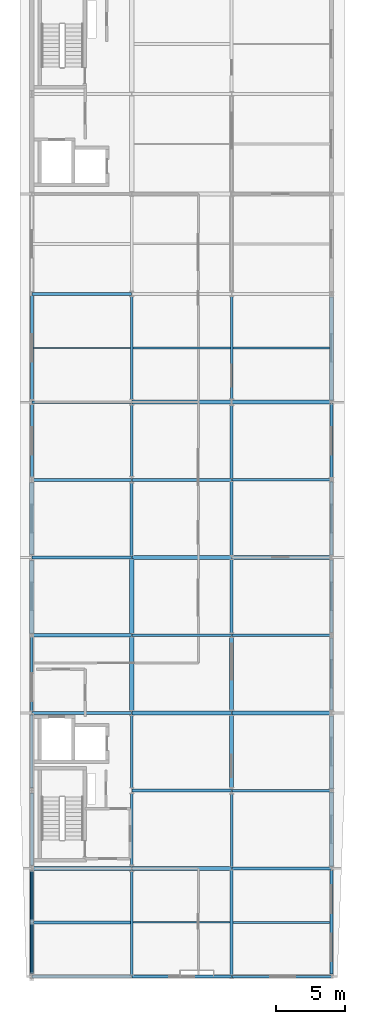
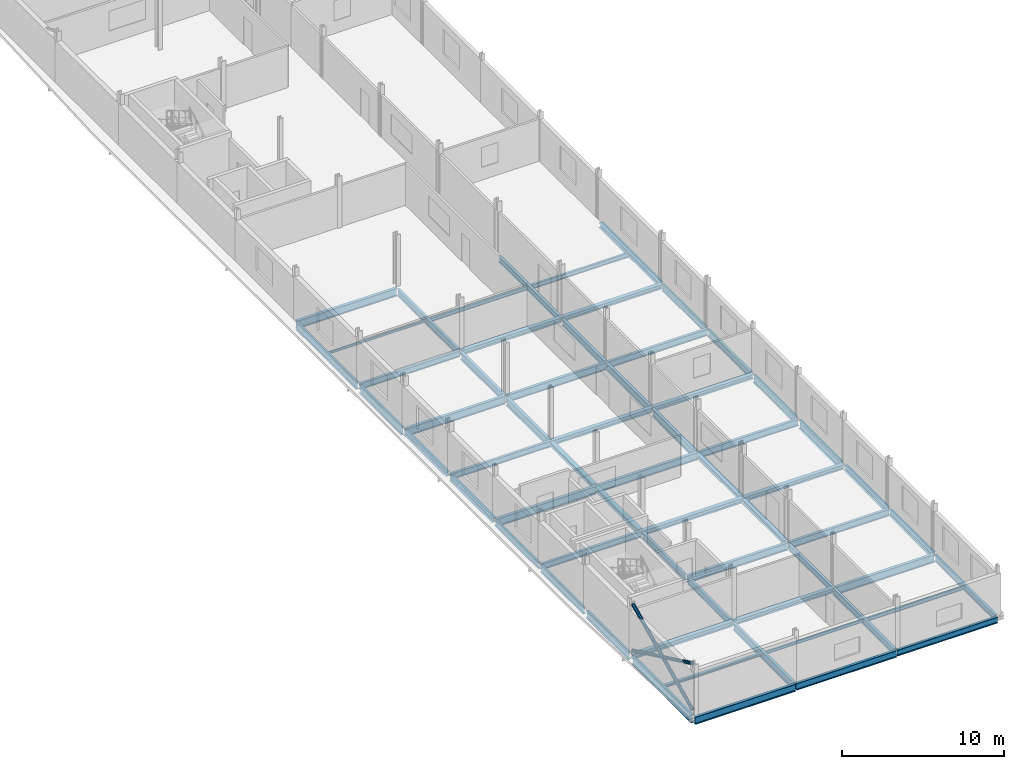
# One storey, part 5 of 16: 62 beams, 3 members.
"""IFC4 building model written with IfcOpenShell, lengths in metres."""

from ifc_helpers import new_model, si_unit, direction, frame, origin, origin_2d, place, context, subcontext, project, spatial, hollow_circle, i_section, extrude, material, material_profile, profile_set, type_object, element, save


model = new_model("IFC4")

# Units and contexts
model_context = context("Model", 3, precision=1e-05, world=origin(), true_north=direction((0.0, 1.0)))
body_context = subcontext(model_context, "Body", "Model", "MODEL_VIEW")
ifc_project = project(units=[si_unit("LENGTHUNIT", "METRE"), si_unit("AREAUNIT", "SQUARE_METRE"), si_unit("VOLUMEUNIT", "CUBIC_METRE"), si_unit("PLANEANGLEUNIT", "RADIAN"), si_unit("MASSUNIT", "GRAM", prefix="KILO")], contexts=[model_context])

# Site, building, storey
site_placement = place(None, origin())
site = spatial("IfcSite", under=ifc_project, at=site_placement, CompositionType="ELEMENT")
building_placement = place(site_placement, origin())
building = spatial("IfcBuilding", under=site, at=building_placement, Name="Vinh Khe Railworks Police Headquarters", CompositionType="ELEMENT")
storey_placement = place(building_placement, frame((0.0, 0.0, 28.800048828125)))
storey = spatial("IfcBuildingStorey", under=building, at=storey_placement, Name="L07", CompositionType="ELEMENT", Elevation=28.800048828125)

# Members
ifc_material = material(Name="Steel S355JR", Category="steel")
ifc_material_profile_1 = material_profile(ifc_material, hollow_circle(Radius=0.122314453125, WallThickness=0.012451171875, at=origin_2d()), Name="CHS 244.5x12.5")
ifc_profile_set_1 = profile_set([ifc_material_profile_1], Name="Steel S355JR")
member_type = type_object("IfcMemberType", Name="Concentric Brace CHS 244.5x12.5", PredefinedType="BRACE", material=ifc_profile_set_1)
member_placement = place(storey_placement, frame((0.60009765625, 17.625, 0.199951171875), z_axis=(0.0, 0.90342581024, 0.428744452317), x_axis=(-1.0, 0.0, 0.0)))
element("IfcMember", 1, at=member_placement, inside=storey, type_object=member_type, Name="Continuous Concentric Brace MEM-BR-L07-BR-09-022", PredefinedType="BRACE", context=body_context, shape_type="SweptSolid", body=[
    extrude(hollow_circle(Radius=0.122314453125, WallThickness=0.012451171875, at=origin_2d()), origin(), (0.0, 0.0, 1.0), 8.163330078125),
])
for number, where, z_axis, x_axis, name in (
    (2, (0.60009765625, 17.625, 3.699951171875), (0.0, 0.903424594361, -0.428747014339), (-1.0, 0.0, 0.0), "Split X-Brace Segment MEM-BR-L07-BR-09-023 (2A)"),
    (3, (0.60009765625, 21.42724609375, 1.8955078125), (0.0, 0.903424594361, -0.428747014339), (-1.0, 0.0, 0.0), "Split X-Brace Segment MEM-BR-L07-BR-09-024 (2B)"),
):
    element("IfcMember", number, at=place(storey_placement, frame(where, z_axis=z_axis, x_axis=x_axis)), inside=storey, type_object=member_type, Name=name, PredefinedType="BRACE", context=body_context, shape_type="SweptSolid", body=[
        extrude(hollow_circle(Radius=0.122314453125, WallThickness=0.012451171875, at=origin_2d()), origin(), (0.0, 0.0, 1.0), 3.95458984375),
    ])

# Beams
ifc_material_profile_2 = material_profile(ifc_material, i_section(OverallWidth=0.199951171875, OverallDepth=0.18994140625, WebThickness=0.006591796875, FlangeThickness=0.010009765625, FilletRadius=0.01806640625, at=origin_2d()), Name="HEA 200")
ifc_profile_set_2 = profile_set([ifc_material_profile_2], Name="Steel S355JR")
beam_type_1 = type_object("IfcBeamType", Name="Secondary Joist HEA 200", PredefinedType="JOIST", material=ifc_profile_set_2)
beam_1_placement = place(storey_placement, frame((0.7099609375, 21.300048828125, -0.275146484375), z_axis=(1.0, 0.0, 0.0), x_axis=(0.0, 1.0, 0.0)))
element("IfcBeam", 4, at=beam_1_placement, inside=storey, type_object=beam_type_1, Name="Secondary Joist JST-L07-SJ-09-0049", PredefinedType="JOIST", context=body_context, shape_type="SweptSolid", body=[
    extrude(i_section(OverallWidth=0.199951171875, OverallDepth=0.18994140625, WebThickness=0.006591796875, FlangeThickness=0.010009765625, FilletRadius=0.01806640625, at=origin_2d()), origin(), (0.0, 0.0, 1.0), 6.985107421875),
])
ifc_material_profile_3 = material_profile(ifc_material, i_section(OverallWidth=0.091064453125, OverallDepth=0.179931640625, WebThickness=0.00537109375, FlangeThickness=0.008056640625, FilletRadius=0.009033203125, at=origin_2d()), Name="IPE 180")
ifc_profile_set_3 = profile_set([ifc_material_profile_3], Name="Steel S355JR")
beam_type_2 = type_object("IfcBeamType", Name="Secondary Joist IPE 180", PredefinedType="JOIST", material=ifc_profile_set_3)
beam_2_placement = place(storey_placement, frame((0.705078125, 62.699951171875, -0.27001953125), z_axis=(1.0, 0.0, 0.0), x_axis=(0.0, 1.0, 0.0)))
element("IfcBeam", 5, at=beam_2_placement, inside=storey, type_object=beam_type_2, Name="Secondary Joist JST-L07-SJ-07-0050", PredefinedType="JOIST", context=body_context, shape_type="SweptSolid", body=[
    extrude(i_section(OverallWidth=0.091064453125, OverallDepth=0.179931640625, WebThickness=0.00537109375, FlangeThickness=0.008056640625, FilletRadius=0.009033203125, at=origin_2d()), origin(), (0.0, 0.0, 1.0), 6.994873046875),
])
ifc_material_profile_4 = material_profile(ifc_material, i_section(OverallWidth=0.110107421875, OverallDepth=0.219970703125, WebThickness=0.005859375, FlangeThickness=0.00927734375, FilletRadius=0.011962890625, at=origin_2d()), Name="IPE 220")
ifc_profile_set_4 = profile_set([ifc_material_profile_4], Name="Steel S355JR")
beam_type_3 = type_object("IfcBeamType", Name="Secondary Joist IPE 220", PredefinedType="JOIST", material=ifc_profile_set_4)
beam_3_placement = place(storey_placement, frame((7.905029296875, 21.300048828125, -0.2900390625), z_axis=(1.0, 0.0, 0.0), x_axis=(0.0, 1.0, 0.0)))
element("IfcBeam", 6, at=beam_3_placement, inside=storey, type_object=beam_type_3, Name="Secondary Joist JST-L07-SJ-05-0054", PredefinedType="JOIST", context=body_context, shape_type="SweptSolid", body=[
    extrude(i_section(OverallWidth=0.110107421875, OverallDepth=0.219970703125, WebThickness=0.005859375, FlangeThickness=0.00927734375, FilletRadius=0.011962890625, at=origin_2d()), origin(), (0.0, 0.0, 1.0), 6.994873046875),
])
ifc_material_profile_5 = material_profile(ifc_material, i_section(OverallWidth=0.135009765625, OverallDepth=0.27001953125, WebThickness=0.006591796875, FlangeThickness=0.01025390625, FilletRadius=0.014892578125, at=origin_2d()), Name="IPE 270")
ifc_profile_set_5 = profile_set([ifc_material_profile_5], Name="Steel S355JR")
beam_type_4 = type_object("IfcBeamType", Name="Secondary Joist IPE 270", PredefinedType="JOIST", material=ifc_profile_set_5)
beam_4_placement = place(storey_placement, frame((7.89990234375, 62.699951171875, -0.31494140625), z_axis=(1.0, 0.0, 0.0), x_axis=(0.0, 1.0, 0.0)))
element("IfcBeam", 7, at=beam_4_placement, inside=storey, type_object=beam_type_4, Name="Secondary Joist JST-L07-SJ-03-0055", PredefinedType="JOIST", context=body_context, shape_type="SweptSolid", body=[
    extrude(i_section(OverallWidth=0.135009765625, OverallDepth=0.27001953125, WebThickness=0.006591796875, FlangeThickness=0.01025390625, FilletRadius=0.014892578125, at=origin_2d()), origin(), (0.0, 0.0, 1.0), 7.005126953125),
])
beam_5_placement = place(storey_placement, frame((15.10009765625, 21.300048828125, -0.31494140625), z_axis=(1.0, 0.0, 0.0), x_axis=(0.0, 1.0, 0.0)))
element("IfcBeam", 8, at=beam_5_placement, inside=storey, type_object=beam_type_4, Name="Secondary Joist JST-L07-SJ-03-0061", PredefinedType="JOIST", context=body_context, shape_type="SweptSolid", body=[
    extrude(i_section(OverallWidth=0.135009765625, OverallDepth=0.27001953125, WebThickness=0.006591796875, FlangeThickness=0.01025390625, FilletRadius=0.014892578125, at=origin_2d()), origin(), (0.0, 0.0, 1.0), 7.0048828125),
])
ifc_material_profile_6 = material_profile(ifc_material, i_section(OverallWidth=0.159912109375, OverallDepth=0.330078125, WebThickness=0.007568359375, FlangeThickness=0.011474609375, FilletRadius=0.01806640625, at=origin_2d()), Name="IPE 330")
ifc_profile_set_6 = profile_set([ifc_material_profile_6], Name="Steel S355JR")
beam_type_5 = type_object("IfcBeamType", Name="Secondary Joist IPE 330", PredefinedType="JOIST", material=ifc_profile_set_6)
beam_6_placement = place(storey_placement, frame((15.094970703125, 62.699951171875, -0.344970703125), z_axis=(1.0, 0.0, 0.0), x_axis=(0.0, 1.0, 0.0)))
element("IfcBeam", 9, at=beam_6_placement, inside=storey, type_object=beam_type_5, Name="Secondary Joist JST-L07-SJ-01-0062", PredefinedType="JOIST", context=body_context, shape_type="SweptSolid", body=[
    extrude(i_section(OverallWidth=0.159912109375, OverallDepth=0.330078125, WebThickness=0.007568359375, FlangeThickness=0.011474609375, FilletRadius=0.01806640625, at=origin_2d()), origin(), (0.0, 0.0, 1.0), 6.955078125),
])
ifc_material_profile_7 = material_profile(ifc_material, i_section(OverallWidth=0.300048828125, OverallDepth=0.330078125, WebThickness=0.009521484375, FlangeThickness=0.0166015625, FilletRadius=0.027099609375, at=origin_2d()), Name="HEA 340")
ifc_profile_set_7 = profile_set([ifc_material_profile_7], Name="Steel S355JR")
beam_type_6 = type_object("IfcBeamType", Name="Steel Girder HEA 340", PredefinedType="BEAM", material=ifc_profile_set_7)
for number, where, z_axis, x_axis, name in (
    (10, (7.820068359375, 25.199951171875, -0.344970703125), (1.0, 0.0, 0.0), (0.0, 1.0, 0.0), "Girder BM-L07-EW-SB-16-1844"),
    (11, (15.02001953125, 36.39990234375, -0.344970703125), (1.0, 0.0, 0.0), (0.0, 1.0, 0.0), "Girder BM-L07-EW-SB-16-1850"),
    (12, (15.02001953125, 47.60009765625, -0.344970703125), (1.0, 0.0, 0.0), (0.0, 1.0, 0.0), "Girder BM-L07-EW-SB-16-1856"),
    (13, (15.02001953125, 58.800048828125, -0.344970703125), (1.0, 0.0, 0.0), (0.0, 1.0, 0.0), "Girder BM-L07-EW-SB-16-1862"),
):
    element("IfcBeam", number, at=place(storey_placement, frame(where, z_axis=z_axis, x_axis=x_axis)), inside=storey, type_object=beam_type_6, Name=name, PredefinedType="BEAM", context=body_context, shape_type="SweptSolid", body=[
        extrude(i_section(OverallWidth=0.300048828125, OverallDepth=0.330078125, WebThickness=0.009521484375, FlangeThickness=0.0166015625, FilletRadius=0.027099609375, at=origin_2d()), origin(), (0.0, 0.0, 1.0), 7.159912109375),
    ])
beam_7_placement = place(storey_placement, frame((0.60009765625, 47.824951171875, -0.344970703125), z_axis=(0.0, 1.0, 0.0), x_axis=(-1.0, 0.0, 0.0)))
element("IfcBeam", 14, at=beam_7_placement, inside=storey, type_object=beam_type_6, Name="Girder BM-L07-NS-SB-16-1886", PredefinedType="BEAM", context=body_context, shape_type="SweptSolid", body=[
    extrude(i_section(OverallWidth=0.300048828125, OverallDepth=0.330078125, WebThickness=0.009521484375, FlangeThickness=0.0166015625, FilletRadius=0.027099609375, at=origin_2d()), origin(), (0.0, 0.0, 1.0), 5.175048828125),
])
beam_8_placement = place(storey_placement, frame((7.800048828125, 42.1298828125, -0.344970703125), z_axis=(0.0, 1.0, 0.0), x_axis=(-1.0, 0.0, 0.0)))
element("IfcBeam", 15, at=beam_8_placement, inside=storey, type_object=beam_type_6, Name="Girder BM-L07-NS-SB-16-1898", PredefinedType="BEAM", context=body_context, shape_type="SweptSolid", body=[
    extrude(i_section(OverallWidth=0.300048828125, OverallDepth=0.330078125, WebThickness=0.009521484375, FlangeThickness=0.0166015625, FilletRadius=0.027099609375, at=origin_2d()), origin(), (0.0, 0.0, 1.0), 5.360107421875),
])
beam_9_placement = place(storey_placement, frame((15.0, 36.60009765625, -0.344970703125), z_axis=(0.0, 1.0, 0.0), x_axis=(-1.0, 0.0, 0.0)))
element("IfcBeam", 16, at=beam_9_placement, inside=storey, type_object=beam_type_6, Name="Girder BM-L07-NS-SB-16-1910", PredefinedType="BEAM", context=body_context, shape_type="SweptSolid", body=[
    extrude(i_section(OverallWidth=0.300048828125, OverallDepth=0.330078125, WebThickness=0.009521484375, FlangeThickness=0.0166015625, FilletRadius=0.027099609375, at=origin_2d()), origin(), (0.0, 0.0, 1.0), 5.224853515625),
])
beam_10_placement = place(storey_placement, frame((22.199951171875, 30.909912109375, -0.344970703125), z_axis=(0.0, 1.0, 0.0), x_axis=(-1.0, 0.0, 0.0)))
element("IfcBeam", 17, at=beam_10_placement, inside=storey, type_object=beam_type_6, Name="Girder BM-L07-NS-SB-16-1922", PredefinedType="BEAM", context=body_context, shape_type="SweptSolid", body=[
    extrude(i_section(OverallWidth=0.300048828125, OverallDepth=0.330078125, WebThickness=0.009521484375, FlangeThickness=0.0166015625, FilletRadius=0.027099609375, at=origin_2d()), origin(), (0.0, 0.0, 1.0), 5.26513671875),
])
ifc_material_profile_8 = material_profile(ifc_material, i_section(OverallWidth=0.300048828125, OverallDepth=0.35009765625, WebThickness=0.010009765625, FlangeThickness=0.017578125, FilletRadius=0.027099609375, at=origin_2d()), Name="HEA 360")
ifc_profile_set_8 = profile_set([ifc_material_profile_8], Name="Steel S355JR")
beam_type_7 = type_object("IfcBeamType", Name="Steel Girder HEA 360", PredefinedType="BEAM", material=ifc_profile_set_8)
for number, where, z_axis, x_axis, name in (
    (18, (0.6201171875, 25.199951171875, -0.35498046875), (1.0, 0.0, 0.0), (0.0, 1.0, 0.0), "Girder BM-L07-EW-SB-15-1843"),
    (19, (7.820068359375, 36.39990234375, -0.35498046875), (1.0, 0.0, 0.0), (0.0, 1.0, 0.0), "Girder BM-L07-EW-SB-15-1849"),
    (20, (7.820068359375, 47.60009765625, -0.35498046875), (1.0, 0.0, 0.0), (0.0, 1.0, 0.0), "Girder BM-L07-EW-SB-15-1855"),
    (21, (7.820068359375, 58.800048828125, -0.35498046875), (1.0, 0.0, 0.0), (0.0, 1.0, 0.0), "Girder BM-L07-EW-SB-15-1861"),
):
    element("IfcBeam", number, at=place(storey_placement, frame(where, z_axis=z_axis, x_axis=x_axis)), inside=storey, type_object=beam_type_7, Name=name, PredefinedType="BEAM", context=body_context, shape_type="SweptSolid", body=[
        extrude(i_section(OverallWidth=0.300048828125, OverallDepth=0.35009765625, WebThickness=0.010009765625, FlangeThickness=0.017578125, FilletRadius=0.027099609375, at=origin_2d()), origin(), (0.0, 0.0, 1.0), 7.159912109375),
    ])
beam_11_placement = place(storey_placement, frame((0.60009765625, 42.110107421875, -0.35498046875), z_axis=(0.0, 1.0, 0.0), x_axis=(-1.0, 0.0, 0.0)))
element("IfcBeam", 22, at=beam_11_placement, inside=storey, type_object=beam_type_7, Name="Girder BM-L07-NS-SB-15-1885", PredefinedType="BEAM", context=body_context, shape_type="SweptSolid", body=[
    extrude(i_section(OverallWidth=0.300048828125, OverallDepth=0.35009765625, WebThickness=0.010009765625, FlangeThickness=0.017578125, FilletRadius=0.027099609375, at=origin_2d()), origin(), (0.0, 0.0, 1.0), 5.264892578125),
])
beam_12_placement = place(storey_placement, frame((7.800048828125, 36.574951171875, -0.35498046875), z_axis=(0.0, 1.0, 0.0), x_axis=(-1.0, 0.0, 0.0)))
element("IfcBeam", 23, at=beam_12_placement, inside=storey, type_object=beam_type_7, Name="Girder BM-L07-NS-SB-15-1897", PredefinedType="BEAM", context=body_context, shape_type="SweptSolid", body=[
    extrude(i_section(OverallWidth=0.300048828125, OverallDepth=0.35009765625, WebThickness=0.010009765625, FlangeThickness=0.017578125, FilletRadius=0.027099609375, at=origin_2d()), origin(), (0.0, 0.0, 1.0), 5.295166015625),
])
beam_13_placement = place(storey_placement, frame((15.0, 31.02490234375, -0.35498046875), z_axis=(0.0, 1.0, 0.0), x_axis=(-1.0, 0.0, 0.0)))
element("IfcBeam", 24, at=beam_13_placement, inside=storey, type_object=beam_type_7, Name="Girder BM-L07-NS-SB-15-1909", PredefinedType="BEAM", context=body_context, shape_type="SweptSolid", body=[
    extrude(i_section(OverallWidth=0.300048828125, OverallDepth=0.35009765625, WebThickness=0.010009765625, FlangeThickness=0.017578125, FilletRadius=0.027099609375, at=origin_2d()), origin(), (0.0, 0.0, 1.0), 5.175048828125),
])
beam_14_placement = place(storey_placement, frame((22.199951171875, 25.330078125, -0.35498046875), z_axis=(0.0, 1.0, 0.0), x_axis=(-1.0, 0.0, 0.0)))
element("IfcBeam", 25, at=beam_14_placement, inside=storey, type_object=beam_type_7, Name="Girder BM-L07-NS-SB-15-1921", PredefinedType="BEAM", context=body_context, shape_type="SweptSolid", body=[
    extrude(i_section(OverallWidth=0.300048828125, OverallDepth=0.35009765625, WebThickness=0.010009765625, FlangeThickness=0.017578125, FilletRadius=0.027099609375, at=origin_2d()), origin(), (0.0, 0.0, 1.0), 5.35986328125),
])
beam_15_placement = place(storey_placement, frame((22.199951171875, 58.909912109375, -0.35498046875), z_axis=(0.0, 1.0, 0.0), x_axis=(-1.0, 0.0, 0.0)))
element("IfcBeam", 26, at=beam_15_placement, inside=storey, type_object=beam_type_7, Name="Girder BM-L07-NS-SB-15-1927", PredefinedType="BEAM", context=body_context, shape_type="SweptSolid", body=[
    extrude(i_section(OverallWidth=0.300048828125, OverallDepth=0.35009765625, WebThickness=0.010009765625, FlangeThickness=0.017578125, FilletRadius=0.027099609375, at=origin_2d()), origin(), (0.0, 0.0, 1.0), 7.465087890625),
])
ifc_material_profile_9 = material_profile(ifc_material, i_section(OverallWidth=0.18994140625, OverallDepth=0.449951171875, WebThickness=0.009521484375, FlangeThickness=0.0146484375, FilletRadius=0.02099609375, at=origin_2d()), Name="IPE 450")
ifc_profile_set_9 = profile_set([ifc_material_profile_9], Name="Steel S355JR")
beam_type_8 = type_object("IfcBeamType", Name="Steel Girder IPE 450", PredefinedType="BEAM", material=ifc_profile_set_9)
for number, where, z_axis, x_axis, name in (
    (27, (15.02001953125, 17.39990234375, -0.405029296875), (1.0, 0.0, 0.0), (0.0, 1.0, 0.0), "Girder BM-L07-EW-SB-20-1842"),
    (28, (0.6201171875, 36.39990234375, -0.405029296875), (1.0, 0.0, 0.0), (0.0, 1.0, 0.0), "Girder BM-L07-EW-SB-20-1848"),
    (29, (0.6201171875, 47.60009765625, -0.405029296875), (1.0, 0.0, 0.0), (0.0, 1.0, 0.0), "Girder BM-L07-EW-SB-20-1854"),
    (30, (0.6201171875, 58.800048828125, -0.405029296875), (1.0, 0.0, 0.0), (0.0, 1.0, 0.0), "Girder BM-L07-EW-SB-20-1860"),
):
    element("IfcBeam", number, at=place(storey_placement, frame(where, z_axis=z_axis, x_axis=x_axis)), inside=storey, type_object=beam_type_8, Name=name, PredefinedType="BEAM", context=body_context, shape_type="SweptSolid", body=[
        extrude(i_section(OverallWidth=0.18994140625, OverallDepth=0.449951171875, WebThickness=0.009521484375, FlangeThickness=0.0146484375, FilletRadius=0.02099609375, at=origin_2d()), origin(), (0.0, 0.0, 1.0), 7.159912109375),
    ])
beam_16_placement = place(storey_placement, frame((0.60009765625, 36.530029296875, -0.405029296875), z_axis=(0.0, 1.0, 0.0), x_axis=(-1.0, 0.0, 0.0)))
element("IfcBeam", 31, at=beam_16_placement, inside=storey, type_object=beam_type_8, Name="Girder BM-L07-NS-SB-20-1884", PredefinedType="BEAM", context=body_context, shape_type="SweptSolid", body=[
    extrude(i_section(OverallWidth=0.18994140625, OverallDepth=0.449951171875, WebThickness=0.009521484375, FlangeThickness=0.0146484375, FilletRadius=0.02099609375, at=origin_2d()), origin(), (0.0, 0.0, 1.0), 5.35986328125),
])
beam_17_placement = place(storey_placement, frame((7.800048828125, 31.0, -0.405029296875), z_axis=(0.0, 1.0, 0.0), x_axis=(-1.0, 0.0, 0.0)))
element("IfcBeam", 32, at=beam_17_placement, inside=storey, type_object=beam_type_8, Name="Girder BM-L07-NS-SB-20-1896", PredefinedType="BEAM", context=body_context, shape_type="SweptSolid", body=[
    extrude(i_section(OverallWidth=0.18994140625, OverallDepth=0.449951171875, WebThickness=0.009521484375, FlangeThickness=0.0146484375, FilletRadius=0.02099609375, at=origin_2d()), origin(), (0.0, 0.0, 1.0), 5.22509765625),
])
beam_18_placement = place(storey_placement, frame((15.0, 25.31005859375, -0.405029296875), z_axis=(0.0, 1.0, 0.0), x_axis=(-1.0, 0.0, 0.0)))
element("IfcBeam", 33, at=beam_18_placement, inside=storey, type_object=beam_type_8, Name="Girder BM-L07-NS-SB-20-1908", PredefinedType="BEAM", context=body_context, shape_type="SweptSolid", body=[
    extrude(i_section(OverallWidth=0.18994140625, OverallDepth=0.449951171875, WebThickness=0.009521484375, FlangeThickness=0.0146484375, FilletRadius=0.02099609375, at=origin_2d()), origin(), (0.0, 0.0, 1.0), 5.264892578125),
])
beam_19_placement = place(storey_placement, frame((15.0, 59.02490234375, -0.405029296875), z_axis=(0.0, 1.0, 0.0), x_axis=(-1.0, 0.0, 0.0)))
element("IfcBeam", 34, at=beam_19_placement, inside=storey, type_object=beam_type_8, Name="Girder BM-L07-NS-SB-20-1914", PredefinedType="BEAM", context=body_context, shape_type="SweptSolid", body=[
    extrude(i_section(OverallWidth=0.18994140625, OverallDepth=0.449951171875, WebThickness=0.009521484375, FlangeThickness=0.0146484375, FilletRadius=0.02099609375, at=origin_2d()), origin(), (0.0, 0.0, 1.0), 7.375),
])
beam_20_placement = place(storey_placement, frame((22.199951171875, 17.574951171875, -0.405029296875), z_axis=(0.0, 1.0, 0.0), x_axis=(-1.0, 0.0, 0.0)))
element("IfcBeam", 35, at=beam_20_placement, inside=storey, type_object=beam_type_8, Name="Girder BM-L07-NS-SB-20-1920", PredefinedType="BEAM", context=body_context, shape_type="SweptSolid", body=[
    extrude(i_section(OverallWidth=0.18994140625, OverallDepth=0.449951171875, WebThickness=0.009521484375, FlangeThickness=0.0146484375, FilletRadius=0.02099609375, at=origin_2d()), origin(), (0.0, 0.0, 1.0), 7.4951171875),
])
beam_21_placement = place(storey_placement, frame((22.199951171875, 53.330078125, -0.405029296875), z_axis=(0.0, 1.0, 0.0), x_axis=(-1.0, 0.0, 0.0)))
element("IfcBeam", 36, at=beam_21_placement, inside=storey, type_object=beam_type_8, Name="Girder BM-L07-NS-SB-20-1926", PredefinedType="BEAM", context=body_context, shape_type="SweptSolid", body=[
    extrude(i_section(OverallWidth=0.18994140625, OverallDepth=0.449951171875, WebThickness=0.009521484375, FlangeThickness=0.0146484375, FilletRadius=0.02099609375, at=origin_2d()), origin(), (0.0, 0.0, 1.0), 5.35986328125),
])
ifc_material_profile_10 = material_profile(ifc_material, i_section(OverallWidth=0.199951171875, OverallDepth=0.5, WebThickness=0.01025390625, FlangeThickness=0.01611328125, FilletRadius=0.02099609375, at=origin_2d()), Name="IPE 500")
ifc_profile_set_10 = profile_set([ifc_material_profile_10], Name="Steel S355JR")
beam_type_9 = type_object("IfcBeamType", Name="Steel Girder IPE 500", PredefinedType="BEAM", material=ifc_profile_set_10)
for number, where, z_axis, x_axis, name in (
    (37, (7.820068359375, 17.39990234375, -0.429931640625), (1.0, 0.0, 0.0), (0.0, 1.0, 0.0), "Girder BM-L07-EW-SB-19-1841"),
    (38, (15.02001953125, 30.800048828125, -0.429931640625), (1.0, 0.0, 0.0), (0.0, 1.0, 0.0), "Girder BM-L07-EW-SB-19-1847"),
    (39, (15.02001953125, 42.0, -0.429931640625), (1.0, 0.0, 0.0), (0.0, 1.0, 0.0), "Girder BM-L07-EW-SB-19-1853"),
    (40, (15.02001953125, 53.199951171875, -0.429931640625), (1.0, 0.0, 0.0), (0.0, 1.0, 0.0), "Girder BM-L07-EW-SB-19-1859"),
):
    element("IfcBeam", number, at=place(storey_placement, frame(where, z_axis=z_axis, x_axis=x_axis)), inside=storey, type_object=beam_type_9, Name=name, PredefinedType="BEAM", context=body_context, shape_type="SweptSolid", body=[
        extrude(i_section(OverallWidth=0.199951171875, OverallDepth=0.5, WebThickness=0.01025390625, FlangeThickness=0.01611328125, FilletRadius=0.02099609375, at=origin_2d()), origin(), (0.0, 0.0, 1.0), 7.159912109375),
    ])
beam_22_placement = place(storey_placement, frame((0.60009765625, 30.97509765625, -0.429931640625), z_axis=(0.0, 1.0, 0.0), x_axis=(-1.0, 0.0, 0.0)))
element("IfcBeam", 41, at=beam_22_placement, inside=storey, type_object=beam_type_9, Name="Girder BM-L07-NS-SB-19-1883", PredefinedType="BEAM", context=body_context, shape_type="SweptSolid", body=[
    extrude(i_section(OverallWidth=0.199951171875, OverallDepth=0.5, WebThickness=0.01025390625, FlangeThickness=0.01611328125, FilletRadius=0.02099609375, at=origin_2d()), origin(), (0.0, 0.0, 1.0), 5.294921875),
])
beam_23_placement = place(storey_placement, frame((7.800048828125, 25.425048828125, -0.429931640625), z_axis=(0.0, 1.0, 0.0), x_axis=(-1.0, 0.0, 0.0)))
element("IfcBeam", 42, at=beam_23_placement, inside=storey, type_object=beam_type_9, Name="Girder BM-L07-NS-SB-19-1895", PredefinedType="BEAM", context=body_context, shape_type="SweptSolid", body=[
    extrude(i_section(OverallWidth=0.199951171875, OverallDepth=0.5, WebThickness=0.01025390625, FlangeThickness=0.01611328125, FilletRadius=0.02099609375, at=origin_2d()), origin(), (0.0, 0.0, 1.0), 5.175048828125),
])
beam_24_placement = place(storey_placement, frame((7.800048828125, 59.0, -0.429931640625), z_axis=(0.0, 1.0, 0.0), x_axis=(-1.0, 0.0, 0.0)))
element("IfcBeam", 43, at=beam_24_placement, inside=storey, type_object=beam_type_9, Name="Girder BM-L07-NS-SB-19-1901", PredefinedType="BEAM", context=body_context, shape_type="SweptSolid", body=[
    extrude(i_section(OverallWidth=0.199951171875, OverallDepth=0.5, WebThickness=0.01025390625, FlangeThickness=0.01611328125, FilletRadius=0.02099609375, at=origin_2d()), origin(), (0.0, 0.0, 1.0), 7.425048828125),
])
beam_25_placement = place(storey_placement, frame((15.0, 17.530029296875, -0.429931640625), z_axis=(0.0, 1.0, 0.0), x_axis=(-1.0, 0.0, 0.0)))
element("IfcBeam", 44, at=beam_25_placement, inside=storey, type_object=beam_type_9, Name="Girder BM-L07-NS-SB-19-1907", PredefinedType="BEAM", context=body_context, shape_type="SweptSolid", body=[
    extrude(i_section(OverallWidth=0.199951171875, OverallDepth=0.5, WebThickness=0.01025390625, FlangeThickness=0.01611328125, FilletRadius=0.02099609375, at=origin_2d()), origin(), (0.0, 0.0, 1.0), 7.56005859375),
])
beam_26_placement = place(storey_placement, frame((15.0, 53.31005859375, -0.429931640625), z_axis=(0.0, 1.0, 0.0), x_axis=(-1.0, 0.0, 0.0)))
element("IfcBeam", 45, at=beam_26_placement, inside=storey, type_object=beam_type_9, Name="Girder BM-L07-NS-SB-19-1913", PredefinedType="BEAM", context=body_context, shape_type="SweptSolid", body=[
    extrude(i_section(OverallWidth=0.199951171875, OverallDepth=0.5, WebThickness=0.01025390625, FlangeThickness=0.01611328125, FilletRadius=0.02099609375, at=origin_2d()), origin(), (0.0, 0.0, 1.0), 5.264892578125),
])
beam_27_placement = place(storey_placement, frame((22.199951171875, 47.77490234375, -0.429931640625), z_axis=(0.0, 1.0, 0.0), x_axis=(-1.0, 0.0, 0.0)))
element("IfcBeam", 46, at=beam_27_placement, inside=storey, type_object=beam_type_9, Name="Girder BM-L07-NS-SB-19-1925", PredefinedType="BEAM", context=body_context, shape_type="SweptSolid", body=[
    extrude(i_section(OverallWidth=0.199951171875, OverallDepth=0.5, WebThickness=0.01025390625, FlangeThickness=0.01611328125, FilletRadius=0.02099609375, at=origin_2d()), origin(), (0.0, 0.0, 1.0), 5.295166015625),
])
ifc_material_profile_11 = material_profile(ifc_material, i_section(OverallWidth=0.2099609375, OverallDepth=0.550048828125, WebThickness=0.010986328125, FlangeThickness=0.01708984375, FilletRadius=0.02392578125, at=origin_2d()), Name="IPE 550")
ifc_profile_set_11 = profile_set([ifc_material_profile_11], Name="Steel S355JR")
beam_type_10 = type_object("IfcBeamType", Name="Steel Girder IPE 550", PredefinedType="BEAM", material=ifc_profile_set_11)
for number, where, z_axis, x_axis, name in (
    (47, (0.6201171875, 17.39990234375, -0.455078125), (1.0, 0.0, 0.0), (0.0, 1.0, 0.0), "Girder BM-L07-EW-SB-18-1840"),
    (48, (7.820068359375, 30.800048828125, -0.455078125), (1.0, 0.0, 0.0), (0.0, 1.0, 0.0), "Girder BM-L07-EW-SB-18-1846"),
    (49, (7.820068359375, 42.0, -0.455078125), (1.0, 0.0, 0.0), (0.0, 1.0, 0.0), "Girder BM-L07-EW-SB-18-1852"),
    (50, (7.820068359375, 53.199951171875, -0.455078125), (1.0, 0.0, 0.0), (0.0, 1.0, 0.0), "Girder BM-L07-EW-SB-18-1858"),
):
    element("IfcBeam", number, at=place(storey_placement, frame(where, z_axis=z_axis, x_axis=x_axis)), inside=storey, type_object=beam_type_10, Name=name, PredefinedType="BEAM", context=body_context, shape_type="SweptSolid", body=[
        extrude(i_section(OverallWidth=0.2099609375, OverallDepth=0.550048828125, WebThickness=0.010986328125, FlangeThickness=0.01708984375, FilletRadius=0.02392578125, at=origin_2d()), origin(), (0.0, 0.0, 1.0), 7.159912109375),
    ])
beam_28_placement = place(storey_placement, frame((0.60009765625, 25.39990234375, -0.455078125), z_axis=(0.0, 1.0, 0.0), x_axis=(-1.0, 0.0, 0.0)))
element("IfcBeam", 51, at=beam_28_placement, inside=storey, type_object=beam_type_10, Name="Girder BM-L07-NS-SB-18-1882", PredefinedType="BEAM", context=body_context, shape_type="SweptSolid", body=[
    extrude(i_section(OverallWidth=0.2099609375, OverallDepth=0.550048828125, WebThickness=0.010986328125, FlangeThickness=0.01708984375, FilletRadius=0.02392578125, at=origin_2d()), origin(), (0.0, 0.0, 1.0), 5.22509765625),
])
beam_29_placement = place(storey_placement, frame((0.60009765625, 58.97509765625, -0.455078125), z_axis=(0.0, 1.0, 0.0), x_axis=(-1.0, 0.0, 0.0)))
element("IfcBeam", 52, at=beam_29_placement, inside=storey, type_object=beam_type_10, Name="Girder BM-L07-NS-SB-18-1888", PredefinedType="BEAM", context=body_context, shape_type="SweptSolid", body=[
    extrude(i_section(OverallWidth=0.2099609375, OverallDepth=0.550048828125, WebThickness=0.010986328125, FlangeThickness=0.01708984375, FilletRadius=0.02392578125, at=origin_2d()), origin(), (0.0, 0.0, 1.0), 7.494873046875),
])
beam_30_placement = place(storey_placement, frame((7.800048828125, 17.510009765625, -0.455078125), z_axis=(0.0, 1.0, 0.0), x_axis=(-1.0, 0.0, 0.0)))
element("IfcBeam", 53, at=beam_30_placement, inside=storey, type_object=beam_type_10, Name="Girder BM-L07-NS-SB-18-1894", PredefinedType="BEAM", context=body_context, shape_type="SweptSolid", body=[
    extrude(i_section(OverallWidth=0.2099609375, OverallDepth=0.550048828125, WebThickness=0.010986328125, FlangeThickness=0.01708984375, FilletRadius=0.02392578125, at=origin_2d()), origin(), (0.0, 0.0, 1.0), 7.465087890625),
])
beam_31_placement = place(storey_placement, frame((7.800048828125, 53.425048828125, -0.455078125), z_axis=(0.0, 1.0, 0.0), x_axis=(-1.0, 0.0, 0.0)))
element("IfcBeam", 54, at=beam_31_placement, inside=storey, type_object=beam_type_10, Name="Girder BM-L07-NS-SB-18-1900", PredefinedType="BEAM", context=body_context, shape_type="SweptSolid", body=[
    extrude(i_section(OverallWidth=0.2099609375, OverallDepth=0.550048828125, WebThickness=0.010986328125, FlangeThickness=0.01708984375, FilletRadius=0.02392578125, at=origin_2d()), origin(), (0.0, 0.0, 1.0), 5.175048828125),
])
beam_32_placement = place(storey_placement, frame((15.0, 47.72998046875, -0.455078125), z_axis=(0.0, 1.0, 0.0), x_axis=(-1.0, 0.0, 0.0)))
element("IfcBeam", 55, at=beam_32_placement, inside=storey, type_object=beam_type_10, Name="Girder BM-L07-NS-SB-18-1912", PredefinedType="BEAM", context=body_context, shape_type="SweptSolid", body=[
    extrude(i_section(OverallWidth=0.2099609375, OverallDepth=0.550048828125, WebThickness=0.010986328125, FlangeThickness=0.01708984375, FilletRadius=0.02392578125, at=origin_2d()), origin(), (0.0, 0.0, 1.0), 5.360107421875),
])
beam_33_placement = place(storey_placement, frame((22.199951171875, 42.199951171875, -0.455078125), z_axis=(0.0, 1.0, 0.0), x_axis=(-1.0, 0.0, 0.0)))
element("IfcBeam", 56, at=beam_33_placement, inside=storey, type_object=beam_type_10, Name="Girder BM-L07-NS-SB-18-1924", PredefinedType="BEAM", context=body_context, shape_type="SweptSolid", body=[
    extrude(i_section(OverallWidth=0.2099609375, OverallDepth=0.550048828125, WebThickness=0.010986328125, FlangeThickness=0.01708984375, FilletRadius=0.02392578125, at=origin_2d()), origin(), (0.0, 0.0, 1.0), 5.22509765625),
])
ifc_material_profile_12 = material_profile(ifc_material, i_section(OverallWidth=0.219970703125, OverallDepth=0.60009765625, WebThickness=0.011962890625, FlangeThickness=0.01904296875, FilletRadius=0.02392578125, at=origin_2d()), Name="IPE 600")
ifc_profile_set_12 = profile_set([ifc_material_profile_12], Name="Steel S355JR")
beam_type_11 = type_object("IfcBeamType", Name="Steel Girder IPE 600", PredefinedType="BEAM", material=ifc_profile_set_12)
for number, where, z_axis, x_axis, name in (
    (57, (15.02001953125, 25.199951171875, -0.47998046875), (1.0, 0.0, 0.0), (0.0, 1.0, 0.0), "Girder BM-L07-EW-SB-17-1845"),
    (58, (0.6201171875, 42.0, -0.47998046875), (1.0, 0.0, 0.0), (0.0, 1.0, 0.0), "Girder BM-L07-EW-SB-17-1851"),
    (59, (0.6201171875, 53.199951171875, -0.47998046875), (1.0, 0.0, 0.0), (0.0, 1.0, 0.0), "Girder BM-L07-EW-SB-17-1857"),
    (60, (0.6201171875, 66.60009765625, -0.47998046875), (1.0, 0.0, 0.0), (0.0, 1.0, 0.0), "Girder BM-L07-EW-SB-17-1863"),
):
    element("IfcBeam", number, at=place(storey_placement, frame(where, z_axis=z_axis, x_axis=x_axis)), inside=storey, type_object=beam_type_11, Name=name, PredefinedType="BEAM", context=body_context, shape_type="SweptSolid", body=[
        extrude(i_section(OverallWidth=0.219970703125, OverallDepth=0.60009765625, WebThickness=0.011962890625, FlangeThickness=0.01904296875, FilletRadius=0.02392578125, at=origin_2d()), origin(), (0.0, 0.0, 1.0), 7.159912109375),
    ])
beam_34_placement = place(storey_placement, frame((0.60009765625, 17.625, -0.47998046875), z_axis=(0.0, 1.0, 0.0), x_axis=(-1.0, 0.0, 0.0)))
element("IfcBeam", 61, at=beam_34_placement, inside=storey, type_object=beam_type_11, Name="Girder BM-L07-NS-SB-17-1881", PredefinedType="BEAM", context=body_context, shape_type="SweptSolid", body=[
    extrude(i_section(OverallWidth=0.219970703125, OverallDepth=0.60009765625, WebThickness=0.011962890625, FlangeThickness=0.01904296875, FilletRadius=0.02392578125, at=origin_2d()), origin(), (0.0, 0.0, 1.0), 7.375),
])
beam_35_placement = place(storey_placement, frame((0.60009765625, 53.39990234375, -0.47998046875), z_axis=(0.0, 1.0, 0.0), x_axis=(-1.0, 0.0, 0.0)))
element("IfcBeam", 62, at=beam_35_placement, inside=storey, type_object=beam_type_11, Name="Girder BM-L07-NS-SB-17-1887", PredefinedType="BEAM", context=body_context, shape_type="SweptSolid", body=[
    extrude(i_section(OverallWidth=0.219970703125, OverallDepth=0.60009765625, WebThickness=0.011962890625, FlangeThickness=0.01904296875, FilletRadius=0.02392578125, at=origin_2d()), origin(), (0.0, 0.0, 1.0), 5.22509765625),
])
beam_36_placement = place(storey_placement, frame((7.800048828125, 47.7099609375, -0.47998046875), z_axis=(0.0, 1.0, 0.0), x_axis=(-1.0, 0.0, 0.0)))
element("IfcBeam", 63, at=beam_36_placement, inside=storey, type_object=beam_type_11, Name="Girder BM-L07-NS-SB-17-1899", PredefinedType="BEAM", context=body_context, shape_type="SweptSolid", body=[
    extrude(i_section(OverallWidth=0.219970703125, OverallDepth=0.60009765625, WebThickness=0.011962890625, FlangeThickness=0.01904296875, FilletRadius=0.02392578125, at=origin_2d()), origin(), (0.0, 0.0, 1.0), 5.26513671875),
])
beam_37_placement = place(storey_placement, frame((15.0, 42.175048828125, -0.47998046875), z_axis=(0.0, 1.0, 0.0), x_axis=(-1.0, 0.0, 0.0)))
element("IfcBeam", 64, at=beam_37_placement, inside=storey, type_object=beam_type_11, Name="Girder BM-L07-NS-SB-17-1911", PredefinedType="BEAM", context=body_context, shape_type="SweptSolid", body=[
    extrude(i_section(OverallWidth=0.219970703125, OverallDepth=0.60009765625, WebThickness=0.011962890625, FlangeThickness=0.01904296875, FilletRadius=0.02392578125, at=origin_2d()), origin(), (0.0, 0.0, 1.0), 5.294921875),
])
beam_38_placement = place(storey_placement, frame((22.199951171875, 36.625, -0.47998046875), z_axis=(0.0, 1.0, 0.0), x_axis=(-1.0, 0.0, 0.0)))
element("IfcBeam", 65, at=beam_38_placement, inside=storey, type_object=beam_type_11, Name="Girder BM-L07-NS-SB-17-1923", PredefinedType="BEAM", context=body_context, shape_type="SweptSolid", body=[
    extrude(i_section(OverallWidth=0.219970703125, OverallDepth=0.60009765625, WebThickness=0.011962890625, FlangeThickness=0.01904296875, FilletRadius=0.02392578125, at=origin_2d()), origin(), (0.0, 0.0, 1.0), 5.175048828125),
])

save(model, "model.ifc")
